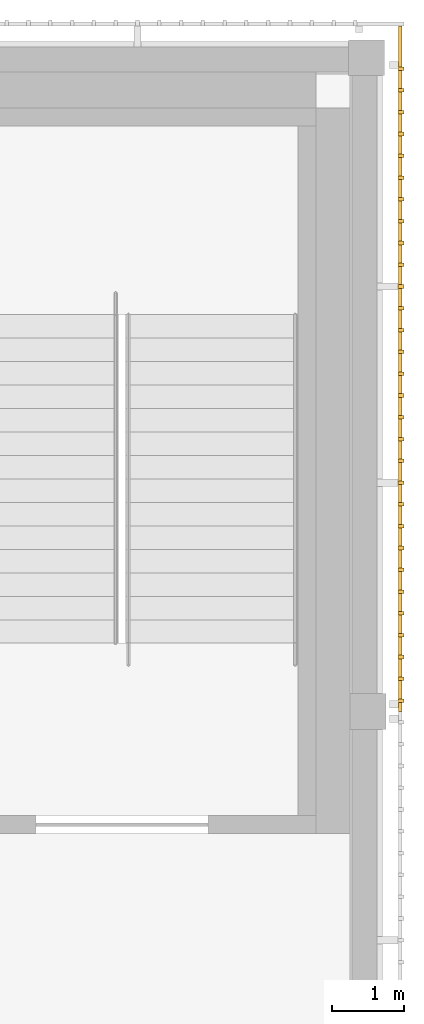
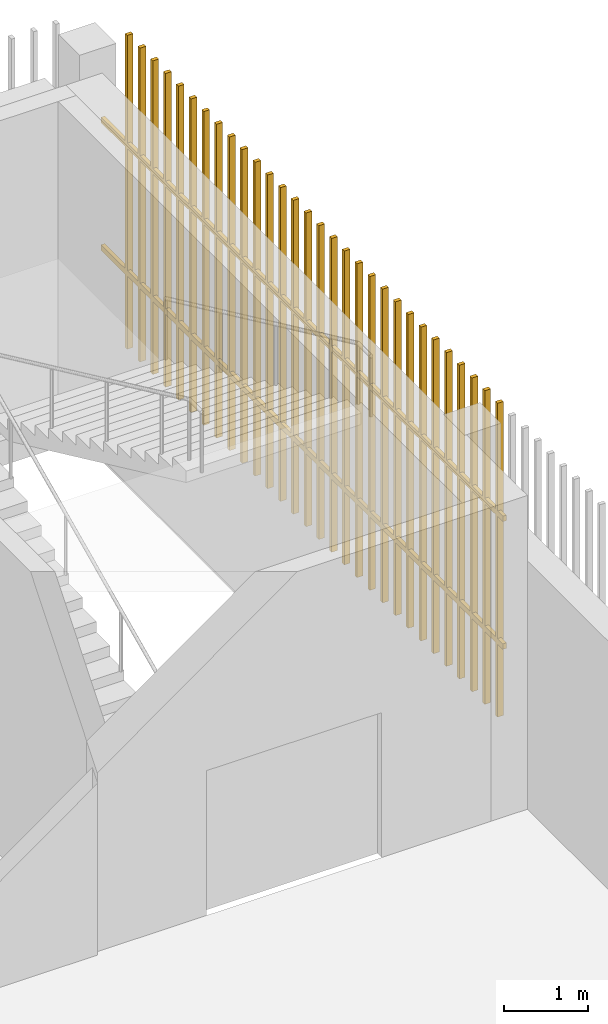
# One storey, part 88 of 91: 1 shading device.
"""IFC4 building model written with IfcOpenShell, lengths in metres."""

from ifc_helpers import new_model, si_unit, direction, frame, origin, origin_2d, place, context, subcontext, project, spatial, rectangle, extrude, material, type_object, element, save


model = new_model("IFC4")

# Units and contexts
model_context = context("Model", 3, precision=1e-05, world=origin(), true_north=direction((0.0, 1.0)))
body_context = subcontext(model_context, "Body", "Model", "MODEL_VIEW")
ifc_project = project(units=[si_unit("LENGTHUNIT", "METRE"), si_unit("AREAUNIT", "SQUARE_METRE"), si_unit("VOLUMEUNIT", "CUBIC_METRE"), si_unit("PLANEANGLEUNIT", "RADIAN"), si_unit("MASSUNIT", "GRAM", prefix="KILO")], contexts=[model_context])

# Site, building, storey
site_placement = place(None, origin())
site = spatial("IfcSite", under=ifc_project, at=site_placement, CompositionType="ELEMENT")
building_placement = place(site_placement, origin())
building = spatial("IfcBuilding", under=site, at=building_placement, Name="Shirokan Park Arena", CompositionType="ELEMENT")
storey_placement = place(building_placement, frame((0.0, 0.0, 24.570068359375)))
storey = spatial("IfcBuildingStorey", under=building, at=storey_placement, Name="L05", CompositionType="ELEMENT", Elevation=24.570068359375)

# Shading device
ifc_material = material(Name="Timber louvre veil (cedar)", Category="wood")
shading_device_type = type_object("IfcShadingDeviceType", Name="Timber louvre veil panel", PredefinedType="JALOUSIE", material=ifc_material)
shading_device_placement = place(storey_placement, origin())
element("IfcShadingDevice", 1, at=shading_device_placement, inside=storey, type_object=shading_device_type, Name="Timber louvre veil east bay 12 L05", PredefinedType="JALOUSIE", context=body_context, shape_type="SweptSolid", body=[
    extrude(rectangle(XDim=0.050048828125, YDim=0.080078125, at=origin_2d()), frame((146.0849609375, 100.251708984375, 0.0), z_axis=(0.0, 0.0, 1.0), x_axis=(0.0, 1.0, 0.0)), (0.0, 0.0, 1.0), 4.550048828125),
    extrude(rectangle(XDim=0.050048828125, YDim=0.080078125, at=origin_2d()), frame((146.0849609375, 100.554931640625, 0.0), z_axis=(0.0, 0.0, 1.0), x_axis=(0.0, 1.0, 0.0)), (0.0, 0.0, 1.0), 4.550048828125),
    extrude(rectangle(XDim=0.050048828125, YDim=0.080078125, at=origin_2d()), frame((146.0849609375, 100.8583984375, 0.0), z_axis=(0.0, 0.0, 1.0), x_axis=(0.0, 1.0, 0.0)), (0.0, 0.0, 1.0), 4.550048828125),
    extrude(rectangle(XDim=0.050048828125, YDim=0.080078125, at=origin_2d()), frame((146.0849609375, 101.16162109375, 0.0), z_axis=(0.0, 0.0, 1.0), x_axis=(0.0, 1.0, 0.0)), (0.0, 0.0, 1.0), 4.550048828125),
    extrude(rectangle(XDim=0.050048828125, YDim=0.080078125, at=origin_2d()), frame((146.0849609375, 101.465087890625, 0.0), z_axis=(0.0, 0.0, 1.0), x_axis=(0.0, 1.0, 0.0)), (0.0, 0.0, 1.0), 4.550048828125),
    extrude(rectangle(XDim=0.050048828125, YDim=0.080078125, at=origin_2d()), frame((146.0849609375, 101.768310546875, 0.0), z_axis=(0.0, 0.0, 1.0), x_axis=(0.0, 1.0, 0.0)), (0.0, 0.0, 1.0), 4.550048828125),
    extrude(rectangle(XDim=0.050048828125, YDim=0.080078125, at=origin_2d()), frame((146.0849609375, 102.07177734375, 0.0), z_axis=(0.0, 0.0, 1.0), x_axis=(0.0, 1.0, 0.0)), (0.0, 0.0, 1.0), 4.550048828125),
    extrude(rectangle(XDim=0.050048828125, YDim=0.080078125, at=origin_2d()), frame((146.0849609375, 102.375, 0.0), z_axis=(0.0, 0.0, 1.0), x_axis=(0.0, 1.0, 0.0)), (0.0, 0.0, 1.0), 4.550048828125),
    extrude(rectangle(XDim=0.050048828125, YDim=0.080078125, at=origin_2d()), frame((146.0849609375, 102.67822265625, 0.0), z_axis=(0.0, 0.0, 1.0), x_axis=(0.0, 1.0, 0.0)), (0.0, 0.0, 1.0), 4.550048828125),
    extrude(rectangle(XDim=0.050048828125, YDim=0.080078125, at=origin_2d()), frame((146.0849609375, 102.981689453125, 0.0), z_axis=(0.0, 0.0, 1.0), x_axis=(0.0, 1.0, 0.0)), (0.0, 0.0, 1.0), 4.550048828125),
    extrude(rectangle(XDim=0.050048828125, YDim=0.080078125, at=origin_2d()), frame((146.0849609375, 103.284912109375, 0.0), z_axis=(0.0, 0.0, 1.0), x_axis=(0.0, 1.0, 0.0)), (0.0, 0.0, 1.0), 4.550048828125),
    extrude(rectangle(XDim=0.050048828125, YDim=0.080078125, at=origin_2d()), frame((146.0849609375, 103.58837890625, 0.0), z_axis=(0.0, 0.0, 1.0), x_axis=(0.0, 1.0, 0.0)), (0.0, 0.0, 1.0), 4.550048828125),
    extrude(rectangle(XDim=0.050048828125, YDim=0.080078125, at=origin_2d()), frame((146.0849609375, 103.8916015625, 0.0), z_axis=(0.0, 0.0, 1.0), x_axis=(0.0, 1.0, 0.0)), (0.0, 0.0, 1.0), 4.550048828125),
    extrude(rectangle(XDim=0.050048828125, YDim=0.080078125, at=origin_2d()), frame((146.0849609375, 104.195068359375, 0.0), z_axis=(0.0, 0.0, 1.0), x_axis=(0.0, 1.0, 0.0)), (0.0, 0.0, 1.0), 4.550048828125),
    extrude(rectangle(XDim=0.050048828125, YDim=0.080078125, at=origin_2d()), frame((146.0849609375, 104.498291015625, 0.0), z_axis=(0.0, 0.0, 1.0), x_axis=(0.0, 1.0, 0.0)), (0.0, 0.0, 1.0), 4.550048828125),
    extrude(rectangle(XDim=0.050048828125, YDim=0.080078125, at=origin_2d()), frame((146.0849609375, 104.8017578125, 0.0), z_axis=(0.0, 0.0, 1.0), x_axis=(0.0, 1.0, 0.0)), (0.0, 0.0, 1.0), 4.550048828125),
    extrude(rectangle(XDim=0.050048828125, YDim=0.080078125, at=origin_2d()), frame((146.0849609375, 105.10498046875, 0.0), z_axis=(0.0, 0.0, 1.0), x_axis=(0.0, 1.0, 0.0)), (0.0, 0.0, 1.0), 4.550048828125),
    extrude(rectangle(XDim=0.050048828125, YDim=0.080078125, at=origin_2d()), frame((146.0849609375, 105.408447265625, 0.0), z_axis=(0.0, 0.0, 1.0), x_axis=(0.0, 1.0, 0.0)), (0.0, 0.0, 1.0), 4.550048828125),
    extrude(rectangle(XDim=0.050048828125, YDim=0.080078125, at=origin_2d()), frame((146.0849609375, 105.711669921875, 0.0), z_axis=(0.0, 0.0, 1.0), x_axis=(0.0, 1.0, 0.0)), (0.0, 0.0, 1.0), 4.550048828125),
    extrude(rectangle(XDim=0.050048828125, YDim=0.080078125, at=origin_2d()), frame((146.0849609375, 106.014892578125, 0.0), z_axis=(0.0, 0.0, 1.0), x_axis=(0.0, 1.0, 0.0)), (0.0, 0.0, 1.0), 4.550048828125),
    extrude(rectangle(XDim=0.050048828125, YDim=0.080078125, at=origin_2d()), frame((146.0849609375, 106.318359375, 0.0), z_axis=(0.0, 0.0, 1.0), x_axis=(0.0, 1.0, 0.0)), (0.0, 0.0, 1.0), 4.550048828125),
    extrude(rectangle(XDim=0.050048828125, YDim=0.080078125, at=origin_2d()), frame((146.0849609375, 106.62158203125, 0.0), z_axis=(0.0, 0.0, 1.0), x_axis=(0.0, 1.0, 0.0)), (0.0, 0.0, 1.0), 4.550048828125),
    extrude(rectangle(XDim=0.050048828125, YDim=0.080078125, at=origin_2d()), frame((146.0849609375, 106.925048828125, 0.0), z_axis=(0.0, 0.0, 1.0), x_axis=(0.0, 1.0, 0.0)), (0.0, 0.0, 1.0), 4.550048828125),
    extrude(rectangle(XDim=0.050048828125, YDim=0.080078125, at=origin_2d()), frame((146.0849609375, 107.228271484375, 0.0), z_axis=(0.0, 0.0, 1.0), x_axis=(0.0, 1.0, 0.0)), (0.0, 0.0, 1.0), 4.550048828125),
    extrude(rectangle(XDim=0.050048828125, YDim=0.080078125, at=origin_2d()), frame((146.0849609375, 107.53173828125, 0.0), z_axis=(0.0, 0.0, 1.0), x_axis=(0.0, 1.0, 0.0)), (0.0, 0.0, 1.0), 4.550048828125),
    extrude(rectangle(XDim=0.050048828125, YDim=0.080078125, at=origin_2d()), frame((146.0849609375, 107.8349609375, 0.0), z_axis=(0.0, 0.0, 1.0), x_axis=(0.0, 1.0, 0.0)), (0.0, 0.0, 1.0), 4.550048828125),
    extrude(rectangle(XDim=0.050048828125, YDim=0.080078125, at=origin_2d()), frame((146.0849609375, 108.138427734375, 0.0), z_axis=(0.0, 0.0, 1.0), x_axis=(0.0, 1.0, 0.0)), (0.0, 0.0, 1.0), 4.550048828125),
    extrude(rectangle(XDim=0.050048828125, YDim=0.080078125, at=origin_2d()), frame((146.0849609375, 108.441650390625, 0.0), z_axis=(0.0, 0.0, 1.0), x_axis=(0.0, 1.0, 0.0)), (0.0, 0.0, 1.0), 4.550048828125),
    extrude(rectangle(XDim=0.050048828125, YDim=0.080078125, at=origin_2d()), frame((146.0849609375, 108.7451171875, 0.0), z_axis=(0.0, 0.0, 1.0), x_axis=(0.0, 1.0, 0.0)), (0.0, 0.0, 1.0), 4.550048828125),
    extrude(rectangle(XDim=0.050048828125, YDim=0.080078125, at=origin_2d()), frame((146.0849609375, 109.04833984375, 0.0), z_axis=(0.0, 0.0, 1.0), x_axis=(0.0, 1.0, 0.0)), (0.0, 0.0, 1.0), 4.550048828125),
    extrude(rectangle(XDim=9.544921875, YDim=0.050048828125, at=origin_2d()), frame((146.070068359375, 104.87255859375, 1.059814453125), z_axis=(0.0, 0.0, 1.0), x_axis=(0.0, 1.0, 0.0)), (0.0, 0.0, 1.0), 0.080078125),
    extrude(rectangle(XDim=9.544921875, YDim=0.050048828125, at=origin_2d()), frame((146.070068359375, 104.87255859375, 2.909912109375), z_axis=(0.0, 0.0, 1.0), x_axis=(0.0, 1.0, 0.0)), (0.0, 0.0, 1.0), 0.080078125),
])

save(model, "model.ifc")
